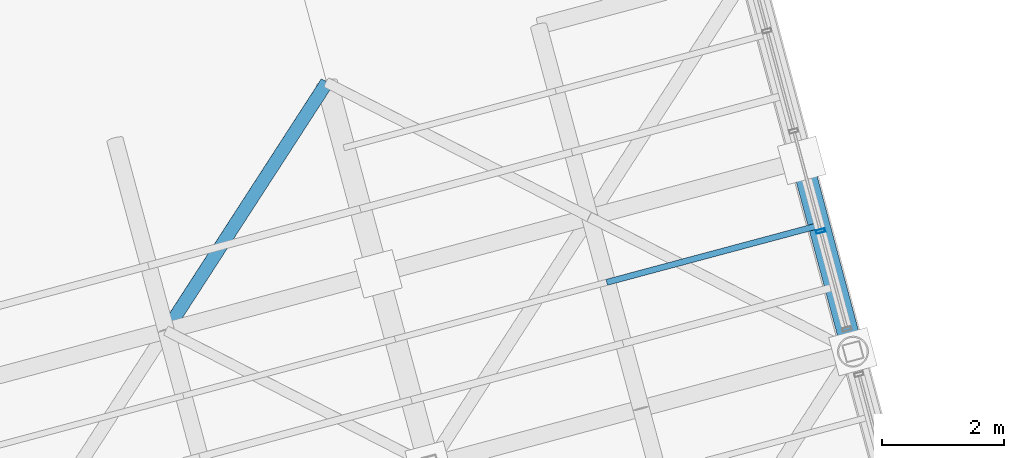
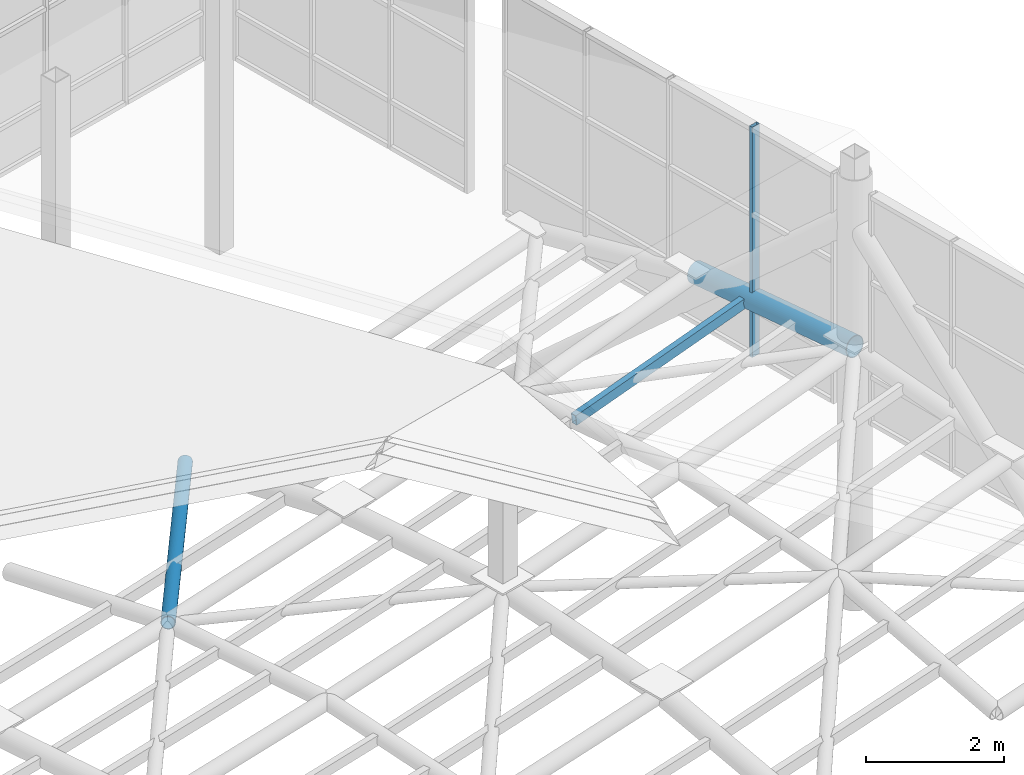
# One storey, part 17 of 28: 4 members, 1 element without a shape of its own.
"""IFC4 building model written with IfcOpenShell, lengths in metres."""

from ifc_helpers import new_model, si_unit, direction, frame, origin, origin_2d, place, context, subcontext, project, spatial, hollow_rectangle, hollow_circle, extrude, material, layer, layer_set, material_profile, profile_set, type_object, element, aggregate, save


model = new_model("IFC4")

# Units and contexts
model_context = context("Model", 3, precision=1e-05, world=origin(), true_north=direction((0.0, 1.0)))
body_context = subcontext(model_context, "Body", "Model", "MODEL_VIEW")
ifc_project = project(units=[si_unit("LENGTHUNIT", "METRE"), si_unit("AREAUNIT", "SQUARE_METRE"), si_unit("VOLUMEUNIT", "CUBIC_METRE"), si_unit("PLANEANGLEUNIT", "RADIAN"), si_unit("MASSUNIT", "GRAM", prefix="KILO")], contexts=[model_context])

# Site, building, storey
site_placement = place(None, origin())
site = spatial("IfcSite", under=ifc_project, at=site_placement, CompositionType="ELEMENT")
building_placement = place(site_placement, origin())
building = spatial("IfcBuilding", under=site, at=building_placement, Name="Ventoquebrada Cableway Terminal", CompositionType="ELEMENT")
storey_placement = place(building_placement, frame((0.0, 0.0, 23.39990234375)))
storey = spatial("IfcBuildingStorey", under=building, at=storey_placement, Name="RF", CompositionType="ELEMENT", Elevation=23.39990234375)

# Members
ifc_material_1 = material(Name="Steel ASTM A500 Grade C", Category="steel")
ifc_material_profile_1 = material_profile(ifc_material_1, hollow_circle(Radius=0.109619140625, WallThickness=0.010009765625, at=origin_2d()), Name="CHS219.1X10")
ifc_profile_set_1 = profile_set([ifc_material_profile_1], Name="Steel ASTM A500 Grade C")
member_type_1 = type_object("IfcMemberType", Name="BRC-GS01", PredefinedType="BRACE", material=ifc_profile_set_1)
member_1_placement = place(storey_placement, frame((72.114013671875, 92.0029296875, -0.04296875), z_axis=(0.540111573211, 0.834153976409, -0.111654073484), x_axis=(-0.839402648036, 0.543510068416, 0.0)))
element("IfcMember", 1, at=member_1_placement, inside=storey, type_object=member_type_1, Name="Saddle gridshell diagrid brace GBR-0376", PredefinedType="BRACE", context=body_context, shape_type="SweptSolid", body=[
    extrude(hollow_circle(Radius=0.109619140625, WallThickness=0.010009765625, at=origin_2d()), origin(), (0.0, 0.0, 1.0), 4.88037109375),
])
ifc_material_profile_2 = material_profile(ifc_material_1, hollow_circle(Radius=0.177734375, WallThickness=0.012451171875, at=origin_2d()), Name="CHS355.6X12.5")
ifc_profile_set_2 = profile_set([ifc_material_profile_2], Name="Steel ASTM A500 Grade C")
member_type_2 = type_object("IfcMemberType", Name="CHD-GS01", PredefinedType="CHORD", material=ifc_profile_set_2)
member_2_placement = place(storey_placement, frame((83.386962890625, 91.658935546875, 1.10009765625), z_axis=(-0.257753459957, 0.962030185232, -0.089783498388), x_axis=(-0.965931285943, -0.258798668539, 0.0)))
element("IfcMember", 2, at=member_2_placement, inside=storey, type_object=member_type_2, Name="Saddle gridshell arch chord GCH-0099", PredefinedType="CHORD", context=body_context, shape_type="SweptSolid", body=[
    extrude(hollow_circle(Radius=0.177734375, WallThickness=0.012451171875, at=origin_2d()), origin(), (0.0, 0.0, 1.0), 3.262939453125),
])

# Curtain wall, member
ifc_material_2 = material(Name="Anodized thermally-broken aluminium", Category="aluminium")
ifc_layer = layer(ifc_material_2, 0.159912109375)
ifc_layer_set = layer_set([ifc_layer], Name="Anodized thermally-broken aluminium")
curtain_wall_type = type_object("IfcCurtainWallType", Name="CW-T50", PredefinedType="USERDEFINED", material=ifc_layer_set)
curtain_wall_placement = place(storey_placement, origin())
curtain_wall = element("IfcCurtainWall", 3, at=curtain_wall_placement, inside=storey, type_object=curtain_wall_type, Name="Unitised glazed curtain wall CW-167", ObjectType="UNITISED CURTAIN WALL", PredefinedType="USERDEFINED")
ifc_material_profile_3 = material_profile(ifc_material_2, hollow_rectangle(XDim=0.06005859375, YDim=0.14990234375, WallThickness=0.00390625, at=origin_2d()), Name="CW-MUL-60X150")
ifc_profile_set_3 = profile_set([ifc_material_profile_3], Name="Anodized thermally-broken aluminium")
member_type_3 = type_object("IfcMemberType", Name="CWM-03", PredefinedType="MULLION", material=ifc_profile_set_3)
member_3_placement = place(storey_placement, frame((82.85595703125, 93.638916015625, -0.06298828125), z_axis=(0.0, 0.0, 1.0), x_axis=(-0.258835903649, 0.965921308897, 0.0)))
member_3 = element("IfcMember", 4, at=member_3_placement, type_object=member_type_3, Name="Curtain wall mullion FML-0810", PredefinedType="MULLION", context=body_context, shape_type="SweptSolid", body=[
    extrude(hollow_rectangle(XDim=0.06005859375, YDim=0.14990234375, WallThickness=0.00390625, at=origin_2d()), origin(), (0.0, 0.0, 1.0), 4.068115234375),
])
aggregate(curtain_wall, [member_3])

# Member
ifc_material_profile_4 = material_profile(ifc_material_1, hollow_rectangle(XDim=0.10009765625, YDim=0.179931640625, WallThickness=0.008056640625, at=origin_2d()), Name="RHS180X100X8")
ifc_profile_set_4 = profile_set([ifc_material_profile_4], Name="Steel ASTM A500 Grade C")
member_type_4 = type_object("IfcMemberType", Name="PUR-RF02", PredefinedType="PURLIN", material=ifc_profile_set_4)
member_4_placement = place(storey_placement, frame((79.35400390625, 92.799072265625, 0.5341796875), z_axis=(0.960793304129, 0.257430018381, 0.102985495957), x_axis=(-0.25880612736, 0.965929287495, 0.0)))
element("IfcMember", 5, at=member_4_placement, inside=storey, type_object=member_type_4, Name="Gridshell secondary roof purlin GPR-0423", PredefinedType="PURLIN", context=body_context, shape_type="SweptSolid", body=[
    extrude(hollow_rectangle(XDim=0.10009765625, YDim=0.179931640625, WallThickness=0.008056640625, at=origin_2d()), origin(), (0.0, 0.0, 1.0), 3.619873046875),
])

save(model, "model.ifc")
